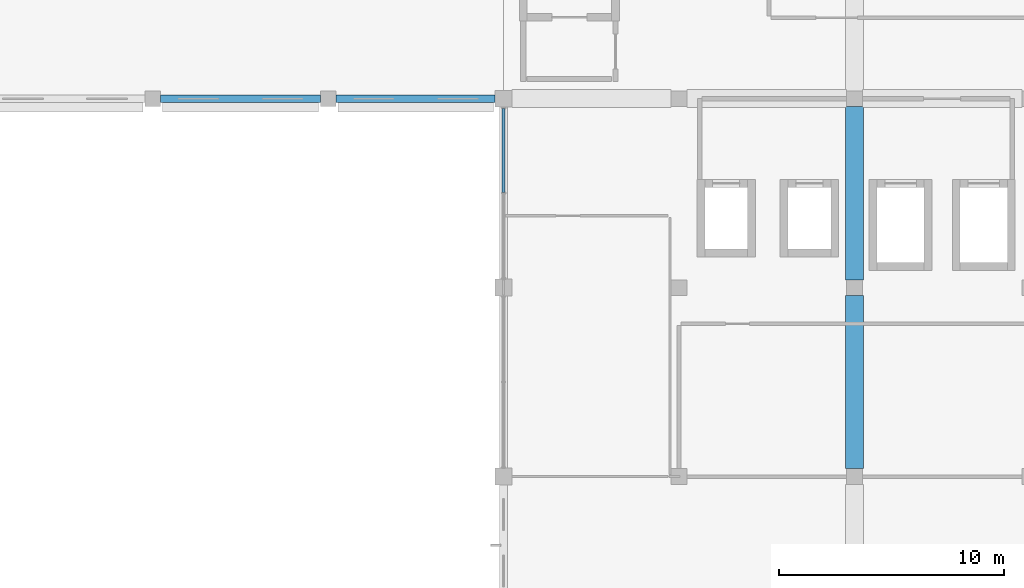
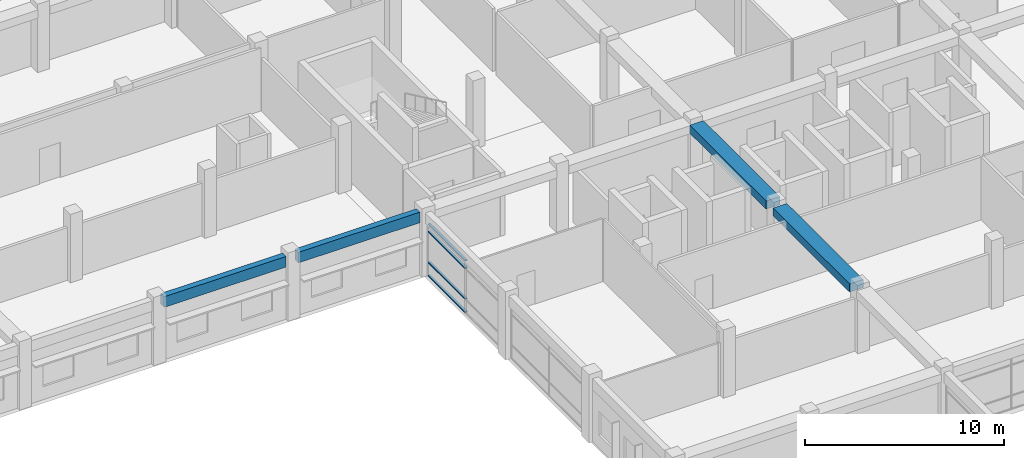
# One storey, part 22 of 53: 4 beams, 4 members, 1 element without a shape of its own.
"""IFC4 building model written with IfcOpenShell, lengths in metres."""

from ifc_helpers import new_model, si_unit, direction, frame, origin, origin_2d, place, context, subcontext, project, spatial, rectangle, hollow_rectangle, extrude, material, material_profile, profile_set, type_object, element, aggregate, save


model = new_model("IFC4")

# Units and contexts
model_context = context("Model", 3, precision=1e-05, world=origin(), true_north=direction((0.0, 1.0)))
body_context = subcontext(model_context, "Body", "Model", "MODEL_VIEW")
ifc_project = project(units=[si_unit("LENGTHUNIT", "METRE"), si_unit("AREAUNIT", "SQUARE_METRE"), si_unit("VOLUMEUNIT", "CUBIC_METRE"), si_unit("PLANEANGLEUNIT", "RADIAN"), si_unit("MASSUNIT", "GRAM", prefix="KILO"), si_unit("THERMODYNAMICTEMPERATUREUNIT", "KELVIN"), si_unit("POWERUNIT", "WATT")], contexts=[model_context])

# Site, building, storey
site_placement = place(None, origin())
site = spatial("IfcSite", under=ifc_project, at=site_placement, CompositionType="ELEMENT")
building_placement = place(site_placement, origin())
building = spatial("IfcBuilding", under=site, at=building_placement, Name="Srebrne Nadtorze General Hospital", CompositionType="ELEMENT")
storey_placement = place(building_placement, frame((0.0, 0.0, 18.0)))
storey = spatial("IfcBuildingStorey", under=building, at=storey_placement, Name="L04", CompositionType="ELEMENT", Elevation=18.0)

# Curtain wall, members
ifc_material_1 = material(Name="Anodised Aluminium", Category="aluminium")
curtain_wall_type = type_object("IfcCurtainWallType", Name="Unitised curtain wall 7650x3235", PredefinedType="NOTDEFINED", material=ifc_material_1)
curtain_wall_placement = place(storey_placement, origin())
curtain_wall = element("IfcCurtainWall", 1, at=curtain_wall_placement, inside=storey, type_object=curtain_wall_type, Name="Curtain wall CW-109", PredefinedType="NOTDEFINED")
ifc_material_2 = material(Name="Anodised Aluminium", Category="aluminium")
ifc_material_profile_1 = material_profile(ifc_material_2, hollow_rectangle(XDim=0.06494140625, YDim=0.139892578125, WallThickness=0.00390625, at=origin_2d()), Name="AL-TRN-65x140")
ifc_profile_set_1 = profile_set([ifc_material_profile_1], Name="Anodised Aluminium")
member_type = type_object("IfcMemberType", Name="Curtain transom 65x140", PredefinedType="USERDEFINED", material=ifc_profile_set_1)
member_1_placement = place(storey_placement, frame((101.39990234375, 46.232421875, 0.032470703125), z_axis=(0.0, 1.0, 0.0), x_axis=(0.0, 0.0, 1.0)))
member_1 = element("IfcMember", 2, at=member_1_placement, type_object=member_type, Name="CW-109 transom 2.1", ObjectType="TRANSOM", PredefinedType="USERDEFINED", context=body_context, shape_type="SweptSolid", body=[
    extrude(hollow_rectangle(XDim=0.06494140625, YDim=0.139892578125, WallThickness=0.00390625, at=origin_2d()), origin(), (0.0, 0.0, 1.0), 3.7275390625),
])
member_2_placement = place(storey_placement, frame((101.39990234375, 46.232421875, 0.85009765625), z_axis=(0.0, 1.0, 0.0), x_axis=(0.0, 0.0, 1.0)))
member_2 = element("IfcMember", 3, at=member_2_placement, type_object=member_type, Name="CW-109 transom 2.2", ObjectType="TRANSOM", PredefinedType="USERDEFINED", context=body_context, shape_type="SweptSolid", body=[
    extrude(hollow_rectangle(XDim=0.06494140625, YDim=0.139892578125, WallThickness=0.00390625, at=origin_2d()), origin(), (0.0, 0.0, 1.0), 3.7275390625),
])
member_3_placement = place(storey_placement, frame((101.39990234375, 46.232421875, 2.735107421875), z_axis=(0.0, 1.0, 0.0), x_axis=(0.0, 0.0, 1.0)))
member_3 = element("IfcMember", 4, at=member_3_placement, type_object=member_type, Name="CW-109 transom 2.3", ObjectType="TRANSOM", PredefinedType="USERDEFINED", context=body_context, shape_type="SweptSolid", body=[
    extrude(hollow_rectangle(XDim=0.06494140625, YDim=0.139892578125, WallThickness=0.00390625, at=origin_2d()), origin(), (0.0, 0.0, 1.0), 3.7275390625),
])
member_4_placement = place(storey_placement, frame((101.39990234375, 46.232421875, 3.202392578125), z_axis=(0.0, 1.0, 0.0), x_axis=(0.0, 0.0, 1.0)))
member_4 = element("IfcMember", 5, at=member_4_placement, type_object=member_type, Name="CW-109 transom 2.4", ObjectType="TRANSOM", PredefinedType="USERDEFINED", context=body_context, shape_type="SweptSolid", body=[
    extrude(hollow_rectangle(XDim=0.06494140625, YDim=0.139892578125, WallThickness=0.00390625, at=origin_2d()), origin(), (0.0, 0.0, 1.0), 3.7275390625),
])
aggregate(curtain_wall, [member_1, member_2, member_3, member_4])

# Beams
ifc_material_3 = material(Name="Concrete C35/45", Category="concrete")
ifc_material_profile_2 = material_profile(ifc_material_3, rectangle(XDim=0.35009765625, YDim=0.64990234375, at=origin_2d()), Name="RC-BM-350x650")
ifc_profile_set_2 = profile_set([ifc_material_profile_2], Name="Concrete C35/45")
beam_type_1 = type_object("IfcBeamType", Name="Edge beam RC 350x650", PredefinedType="BEAM", material=ifc_profile_set_2)
beam_1_placement = place(storey_placement, frame((86.14990234375, 50.39990234375, 3.56005859375), z_axis=(1.0, 0.0, 0.0), x_axis=(0.0, 1.0, 0.0)))
element("IfcBeam", 6, at=beam_1_placement, inside=storey, type_object=beam_type_1, Name="Beam BM-L04-X-0889", PredefinedType="BEAM", context=body_context, shape_type="SweptSolid", body=[
    extrude(rectangle(XDim=0.35009765625, YDim=0.64990234375, at=origin_2d()), origin(), (0.0, 0.0, 1.0), 7.10009765625),
])
beam_2_placement = place(storey_placement, frame((93.949951171875, 50.39990234375, 3.56005859375), z_axis=(1.0, 0.0, 0.0), x_axis=(0.0, 1.0, 0.0)))
element("IfcBeam", 7, at=beam_2_placement, inside=storey, type_object=beam_type_1, Name="Beam BM-L04-X-0890", PredefinedType="BEAM", context=body_context, shape_type="SweptSolid", body=[
    extrude(rectangle(XDim=0.35009765625, YDim=0.64990234375, at=origin_2d()), origin(), (0.0, 0.0, 1.0), 7.074951171875),
])
ifc_material_4 = material(Name="Concrete C40/50", Category="concrete")
ifc_material_profile_3 = material_profile(ifc_material_4, rectangle(XDim=0.800048828125, YDim=0.5, at=origin_2d()), Name="RC-BM-800x500")
ifc_profile_set_3 = profile_set([ifc_material_profile_3], Name="Concrete C40/50")
beam_type_2 = type_object("IfcBeamType", Name="Primary beam RC 800x500", PredefinedType="BEAM", material=ifc_profile_set_3)
for number, where, z_axis, x_axis, name in (
    (8, (117.0, 33.949951171875, 3.635009765625), (0.0, 1.0, 0.0), (-1.0, 0.0, 0.0), "Beam BM-L04-Y-0967"),
    (9, (117.0, 42.35009765625, 3.635009765625), (0.0, 1.0, 0.0), (-1.0, 0.0, 0.0), "Beam BM-L04-Y-0968"),
):
    element("IfcBeam", number, at=place(storey_placement, frame(where, z_axis=z_axis, x_axis=x_axis)), inside=storey, type_object=beam_type_2, Name=name, PredefinedType="BEAM", context=body_context, shape_type="SweptSolid", body=[
        extrude(rectangle(XDim=0.800048828125, YDim=0.5, at=origin_2d()), origin(), (0.0, 0.0, 1.0), 7.699951171875),
    ])

save(model, "model.ifc")
